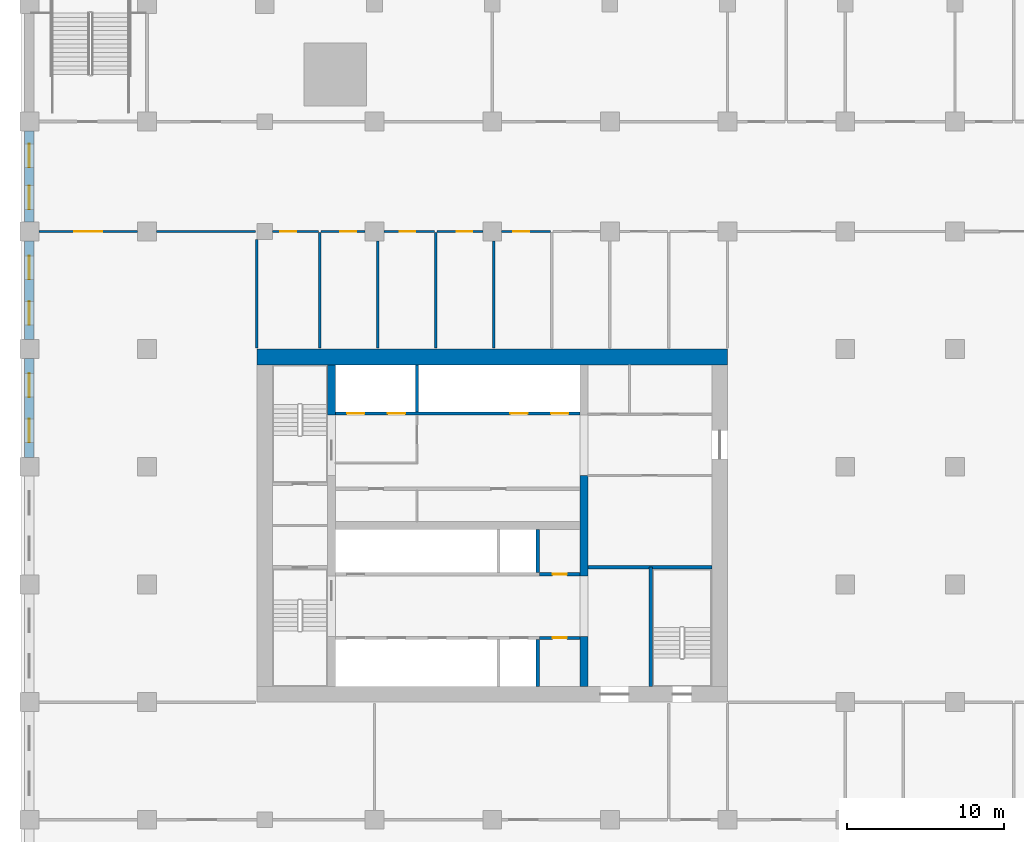
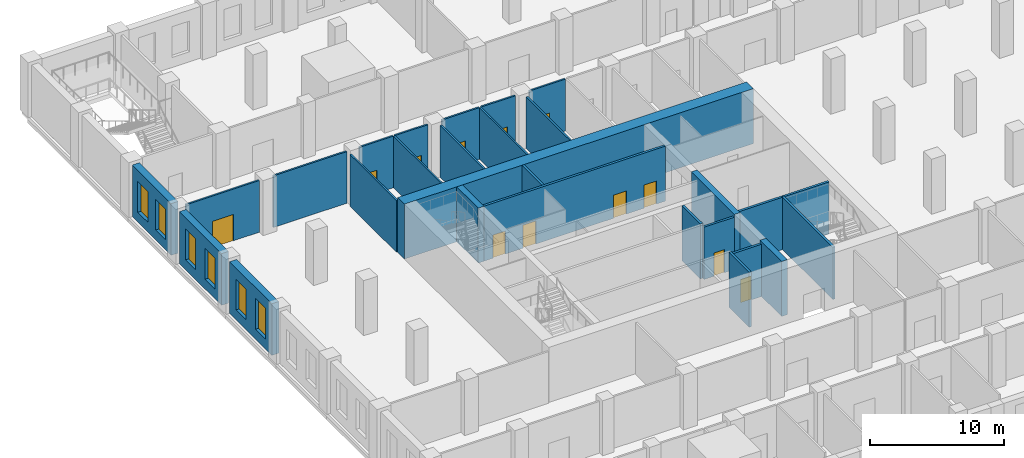
# One storey, part 6 of 22: 27 walls, 12 doors, 6 windows, 18 openings.
"""IFC4 building model written with IfcOpenShell, lengths in metres."""

from ifc_helpers import new_model, si_unit, direction, frame, frame_2d, origin, place, context, subcontext, project, spatial, rectangle, extrude, material, layer, layer_set, type_object, element, fill, save


model = new_model("IFC4")

# Units and contexts
model_context = context("Model", 3, precision=1e-05, world=origin(), true_north=direction((0.0, 1.0)))
body_context = subcontext(model_context, "Body", "Model", "MODEL_VIEW")
ifc_project = project(units=[si_unit("LENGTHUNIT", "METRE"), si_unit("AREAUNIT", "SQUARE_METRE"), si_unit("VOLUMEUNIT", "CUBIC_METRE"), si_unit("PLANEANGLEUNIT", "RADIAN"), si_unit("MASSUNIT", "GRAM", prefix="KILO")], contexts=[model_context])

# Site, building, storey
site_placement = place(None, origin())
site = spatial("IfcSite", under=ifc_project, at=site_placement, CompositionType="ELEMENT")
building_placement = place(site_placement, origin())
building = spatial("IfcBuilding", under=site, at=building_placement, Name="Tamorin Gate", CompositionType="ELEMENT")
storey_placement = place(building_placement, frame((0.0, 0.0, 29.0)))
storey = spatial("IfcBuildingStorey", under=building, at=storey_placement, Name="L05", CompositionType="ELEMENT", Elevation=29.0)

# Wall, openings, doors
ifc_material_1 = material(Name="Concrete C32/40", Category="concrete")
ifc_layer_1 = layer(ifc_material_1, 0.199951171875)
ifc_layer_set_1 = layer_set([ifc_layer_1], Name="Lift lobby face wall 200 EI 120")
wall_type_1 = type_object("IfcWallType", Name="Lift lobby face wall 200 EI 120", PredefinedType="SOLIDWALL", material=ifc_layer_set_1)
wall_1_placement = place(storey_placement, frame((35.0, 78.39990234375, 0.0), z_axis=(0.0, 0.0, 1.0), x_axis=(1.0, 0.0, 0.0)))
wall_1 = element("IfcWall", 1, at=wall_1_placement, inside=storey, type_object=wall_type_1, Name="Lift lobby face wall", PredefinedType="SOLIDWALL", context=body_context, shape_type="SweptSolid", body=[
    extrude(rectangle(XDim=15.60009765625, YDim=0.199951171875, at=frame_2d((7.800048828125, 0.0))), origin(), (0.0, 0.0, 1.0), 5.0),
])
opening_1_placement = place(wall_1_placement, frame((0.75, 0.0, 0.0)))
opening_1 = element("IfcOpeningElement", 2, at=opening_1_placement, cuts=wall_1, Name="Opening LD17", PredefinedType="OPENING", context=body_context, shape_type="SweptSolid", body=[
    extrude(rectangle(XDim=1.10009765625, YDim=2.10009765625, at=frame_2d((0.550048828125, 1.050048828125))), frame((0.0, 0.10986328125, 0.0), z_axis=(0.0, -1.0, 0.0), x_axis=(1.0, 0.0, 0.0)), (0.0, 0.0, 1.0), 0.219970703125),
])
opening_2_placement = place(wall_1_placement, frame((3.35009765625, 0.0, 0.0)))
opening_2 = element("IfcOpeningElement", 3, at=opening_2_placement, cuts=wall_1, Name="Opening LD18", PredefinedType="OPENING", context=body_context, shape_type="SweptSolid", body=[
    extrude(rectangle(XDim=1.10009765625, YDim=2.10009765625, at=frame_2d((0.550048828125, 1.050048828125))), frame((0.0, 0.10986328125, 0.0), z_axis=(0.0, -1.0, 0.0), x_axis=(1.0, 0.0, 0.0)), (0.0, 0.0, 1.0), 0.219970703125),
])
opening_3_placement = place(wall_1_placement, frame((11.14990234375, 0.0, 0.0)))
opening_3 = element("IfcOpeningElement", 4, at=opening_3_placement, cuts=wall_1, Name="Opening LD21", PredefinedType="OPENING", context=body_context, shape_type="SweptSolid", body=[
    extrude(rectangle(XDim=1.10009765625, YDim=2.10009765625, at=frame_2d((0.550048828125, 1.050048828125))), frame((0.0, 0.10986328125, 0.0), z_axis=(0.0, -1.0, 0.0), x_axis=(1.0, 0.0, 0.0)), (0.0, 0.0, 1.0), 0.219970703125),
])
opening_4_placement = place(wall_1_placement, frame((13.75, 0.0, 0.0)))
opening_4 = element("IfcOpeningElement", 5, at=opening_4_placement, cuts=wall_1, Name="Opening LD22", PredefinedType="OPENING", context=body_context, shape_type="SweptSolid", body=[
    extrude(rectangle(XDim=1.10009765625, YDim=2.10009765625, at=frame_2d((0.550048828125, 1.050048828125))), frame((0.0, 0.10986328125, 0.0), z_axis=(0.0, -1.0, 0.0), x_axis=(1.0, 0.0, 0.0)), (0.0, 0.0, 1.0), 0.219970703125),
])
ifc_material_2 = material(Name="Stainless steel sliding door", Category="steel")
door_type_1 = type_object("IfcDoorType", Name="Lift landing door 1100 x 2100 E 90", OperationType="DOUBLE_DOOR_SLIDING", PredefinedType="DOOR", material=ifc_material_2)
door_1_placement = place(opening_1_placement, origin())
door_1 = element("IfcDoor", 6, at=door_1_placement, inside=storey, type_object=door_type_1, Name="FF1 landing door", OperationType="DOUBLE_DOOR_SLIDING", OverallHeight=2.10009765625, OverallWidth=1.10009765625, PredefinedType="DOOR", context=body_context, shape_type="SweptSolid", body=[
    extrude(rectangle(XDim=1.10009765625, YDim=2.10009765625, at=frame_2d((0.550048828125, 1.050048828125))), frame((0.0, 0.02490234375, 0.0), z_axis=(0.0, -1.0, 0.0), x_axis=(1.0, 0.0, 0.0)), (0.0, 0.0, 1.0), 0.050048828125),
])
fill(opening_1, door_1)
door_2_placement = place(opening_2_placement, origin())
door_2 = element("IfcDoor", 7, at=door_2_placement, inside=storey, type_object=door_type_1, Name="FF2 landing door", OperationType="DOUBLE_DOOR_SLIDING", OverallHeight=2.10009765625, OverallWidth=1.10009765625, PredefinedType="DOOR", context=body_context, shape_type="SweptSolid", body=[
    extrude(rectangle(XDim=1.10009765625, YDim=2.10009765625, at=frame_2d((0.550048828125, 1.050048828125))), frame((0.0, 0.02490234375, 0.0), z_axis=(0.0, -1.0, 0.0), x_axis=(1.0, 0.0, 0.0)), (0.0, 0.0, 1.0), 0.050048828125),
])
fill(opening_2, door_2)
door_3_placement = place(opening_3_placement, origin())
door_3 = element("IfcDoor", 8, at=door_3_placement, inside=storey, type_object=door_type_1, Name="SV1 landing door", OperationType="DOUBLE_DOOR_SLIDING", OverallHeight=2.10009765625, OverallWidth=1.10009765625, PredefinedType="DOOR", context=body_context, shape_type="SweptSolid", body=[
    extrude(rectangle(XDim=1.10009765625, YDim=2.10009765625, at=frame_2d((0.550048828125, 1.050048828125))), frame((0.0, 0.02490234375, 0.0), z_axis=(0.0, -1.0, 0.0), x_axis=(1.0, 0.0, 0.0)), (0.0, 0.0, 1.0), 0.050048828125),
])
fill(opening_3, door_3)
door_4_placement = place(opening_4_placement, origin())
door_4 = element("IfcDoor", 9, at=door_4_placement, inside=storey, type_object=door_type_1, Name="SV2 landing door", OperationType="DOUBLE_DOOR_SLIDING", OverallHeight=2.10009765625, OverallWidth=1.10009765625, PredefinedType="DOOR", context=body_context, shape_type="SweptSolid", body=[
    extrude(rectangle(XDim=1.10009765625, YDim=2.10009765625, at=frame_2d((0.550048828125, 1.050048828125))), frame((0.0, 0.02490234375, 0.0), z_axis=(0.0, -1.0, 0.0), x_axis=(1.0, 0.0, 0.0)), (0.0, 0.0, 1.0), 0.050048828125),
])
fill(opening_4, door_4)

# Walls
ifc_layer_2 = layer(ifc_material_1, 0.199951171875)
ifc_layer_set_2 = layer_set([ifc_layer_2], Name="Lift shaft wall 200 EI 120")
wall_type_2 = type_object("IfcWallType", Name="Lift shaft wall 200 EI 120", PredefinedType="SOLIDWALL", material=ifc_layer_set_2)
wall_2_placement = place(storey_placement, frame((47.89990234375, 61.0, 0.0), z_axis=(0.0, 0.0, 1.0), x_axis=(0.0, 1.0, 0.0)))
element("IfcWall", 10, at=wall_2_placement, inside=storey, type_object=wall_type_2, Name="Lift shaft wall", PredefinedType="SOLIDWALL", context=body_context, shape_type="SweptSolid", body=[
    extrude(rectangle(XDim=3.0, YDim=0.199951171875, at=frame_2d((1.5, 0.0))), origin(), (0.0, 0.0, 1.0), 5.0),
])
wall_3_placement = place(storey_placement, frame((47.89990234375, 68.25, 0.0), z_axis=(0.0, 0.0, 1.0), x_axis=(0.0, 1.0, 0.0)))
element("IfcWall", 11, at=wall_3_placement, inside=storey, type_object=wall_type_2, Name="Lift shaft wall", PredefinedType="SOLIDWALL", context=body_context, shape_type="SweptSolid", body=[
    extrude(rectangle(XDim=2.75, YDim=0.199951171875, at=frame_2d((1.375, 0.0))), origin(), (0.0, 0.0, 1.0), 5.0),
])
wall_4_placement = place(storey_placement, frame((40.199951171875, 78.5, 0.0), z_axis=(0.0, 0.0, 1.0), x_axis=(0.0, 1.0, 0.0)))
element("IfcWall", 12, at=wall_4_placement, inside=storey, type_object=wall_type_2, Name="Lift shaft wall", PredefinedType="SOLIDWALL", context=body_context, shape_type="SweptSolid", body=[
    extrude(rectangle(XDim=3.0, YDim=0.199951171875, at=frame_2d((1.5, 0.0))), origin(), (0.0, 0.0, 1.0), 5.0),
])

# Wall, opening, door
ifc_material_3 = material(Name="Concrete masonry C20/25", Category="masonry")
ifc_layer_3 = layer(ifc_material_3, 0.14990234375)
ifc_layer_set_3 = layer_set([ifc_layer_3], Name="Partition 150")
wall_type_3 = type_object("IfcWallType", Name="Partition 150", PredefinedType="PARTITIONING", material=ifc_layer_set_3)
wall_5_placement = place(storey_placement, frame((16.10009765625, 90.0, 0.0), z_axis=(0.0, 0.0, 1.0), x_axis=(1.0, 0.0, 0.0)))
wall_5 = element("IfcWall", 13, at=wall_5_placement, inside=storey, type_object=wall_type_3, Name="Partition 150 L05", PredefinedType="PARTITIONING", context=body_context, shape_type="SweptSolid", body=[
    extrude(rectangle(XDim=6.2998046875, YDim=0.14990234375, at=frame_2d((3.14990234375, 0.0))), origin(), (0.0, 0.0, 1.0), 4.699951171875),
])
opening_5_placement = place(wall_5_placement, frame((2.25, 0.0, 0.0)))
opening_5 = element("IfcOpeningElement", 14, at=opening_5_placement, cuts=wall_5, Name="Opening DP3", PredefinedType="OPENING", context=body_context, shape_type="SweptSolid", body=[
    extrude(rectangle(XDim=1.800048828125, YDim=2.39990234375, at=frame_2d((0.89990234375, 1.199951171875))), frame((0.0, 0.0849609375, 0.0), z_axis=(0.0, -1.0, 0.0), x_axis=(1.0, 0.0, 0.0)), (0.0, 0.0, 1.0), 0.169921875),
])
ifc_material_4 = material(Name="Steel and glass", Category="steel")
door_type_2 = type_object("IfcDoorType", Name="Door pair 1800", OperationType="DOUBLE_DOOR_SINGLE_SWING", PredefinedType="DOOR", material=ifc_material_4)
door_5_placement = place(opening_5_placement, origin())
door_5 = element("IfcDoor", 15, at=door_5_placement, inside=storey, type_object=door_type_2, Name="Door pair 1800 L05", OperationType="SINGLE_SWING_LEFT", OverallHeight=2.39990234375, OverallWidth=1.800048828125, PredefinedType="DOOR", context=body_context, shape_type="SweptSolid", body=[
    extrude(rectangle(XDim=1.800048828125, YDim=2.39990234375, at=frame_2d((0.89990234375, 1.199951171875))), frame((0.0, 0.02490234375, 0.0), z_axis=(0.0, -1.0, 0.0), x_axis=(1.0, 0.0, 0.0)), (0.0, 0.0, 1.0), 0.050048828125),
])
fill(opening_5, door_5)

# Wall
wall_6_placement = place(storey_placement, frame((23.60009765625, 90.0, 0.0), z_axis=(0.0, 0.0, 1.0), x_axis=(1.0, 0.0, 0.0)))
element("IfcWall", 16, at=wall_6_placement, inside=storey, type_object=wall_type_3, Name="Partition 150 L05", PredefinedType="PARTITIONING", context=body_context, shape_type="SweptSolid", body=[
    extrude(rectangle(XDim=6.324951171875, YDim=0.14990234375, at=frame_2d((3.16259765625, 0.0))), origin(), (0.0, 0.0, 1.0), 4.699951171875),
])

# Wall, opening, door
wall_7_placement = place(storey_placement, frame((31.0, 90.0, 0.0), z_axis=(0.0, 0.0, 1.0), x_axis=(1.0, 0.0, 0.0)))
wall_7 = element("IfcWall", 17, at=wall_7_placement, inside=storey, type_object=wall_type_3, Name="Partition 150 L05", PredefinedType="PARTITIONING", context=body_context, shape_type="SweptSolid", body=[
    extrude(rectangle(XDim=2.925048828125, YDim=0.14990234375, at=frame_2d((1.46240234375, 0.0))), origin(), (0.0, 0.0, 1.0), 4.699951171875),
])
opening_6_placement = place(wall_7_placement, frame((0.5, 0.0, 0.0)))
opening_6 = element("IfcOpeningElement", 18, at=opening_6_placement, cuts=wall_7, Name="Opening DP2", PredefinedType="OPENING", context=body_context, shape_type="SweptSolid", body=[
    extrude(rectangle(XDim=1.0, YDim=2.10009765625, at=frame_2d((0.5, 1.050048828125))), frame((0.0, 0.0849609375, 0.0), z_axis=(0.0, -1.0, 0.0), x_axis=(1.0, 0.0, 0.0)), (0.0, 0.0, 1.0), 0.169921875),
])
ifc_material_5 = material(Name="Painted steel", Category="steel")
door_type_3 = type_object("IfcDoorType", Name="Door single 1000", OperationType="SINGLE_SWING_LEFT", PredefinedType="DOOR", material=ifc_material_5)
door_6_placement = place(opening_6_placement, origin())
door_6 = element("IfcDoor", 19, at=door_6_placement, inside=storey, type_object=door_type_3, Name="Door single 1000 L05", OperationType="SINGLE_SWING_LEFT", OverallHeight=2.10009765625, OverallWidth=1.0, PredefinedType="DOOR", context=body_context, shape_type="SweptSolid", body=[
    extrude(rectangle(XDim=1.0, YDim=2.10009765625, at=frame_2d((0.5, 1.050048828125))), frame((0.0, 0.02490234375, 0.0), z_axis=(0.0, -1.0, 0.0), x_axis=(1.0, 0.0, 0.0)), (0.0, 0.0, 1.0), 0.050048828125),
])
fill(opening_6, door_6)

wall_8_placement = place(storey_placement, frame((34.074951171875, 90.0, 0.0), z_axis=(0.0, 0.0, 1.0), x_axis=(1.0, 0.0, 0.0)))
wall_8 = element("IfcWall", 20, at=wall_8_placement, inside=storey, type_object=wall_type_3, Name="Partition 150 L05", PredefinedType="PARTITIONING", context=body_context, shape_type="SweptSolid", body=[
    extrude(rectangle(XDim=2.824951171875, YDim=0.14990234375, at=frame_2d((1.41259765625, 0.0))), origin(), (0.0, 0.0, 1.0), 4.699951171875),
])
opening_7_placement = place(wall_8_placement, frame((1.25, 0.0, 0.0)))
opening_7 = element("IfcOpeningElement", 21, at=opening_7_placement, cuts=wall_8, Name="Opening DP2", PredefinedType="OPENING", context=body_context, shape_type="SweptSolid", body=[
    extrude(rectangle(XDim=1.0, YDim=2.10009765625, at=frame_2d((0.5, 1.050048828125))), frame((0.0, 0.0849609375, 0.0), z_axis=(0.0, -1.0, 0.0), x_axis=(1.0, 0.0, 0.0)), (0.0, 0.0, 1.0), 0.169921875),
])
door_7_placement = place(opening_7_placement, origin())
door_7 = element("IfcDoor", 22, at=door_7_placement, inside=storey, type_object=door_type_3, Name="Door single 1000 L05", OperationType="SINGLE_SWING_LEFT", OverallHeight=2.10009765625, OverallWidth=1.0, PredefinedType="DOOR", context=body_context, shape_type="SweptSolid", body=[
    extrude(rectangle(XDim=1.0, YDim=2.10009765625, at=frame_2d((0.5, 1.050048828125))), frame((0.0, 0.02490234375, 0.0), z_axis=(0.0, -1.0, 0.0), x_axis=(1.0, 0.0, 0.0)), (0.0, 0.0, 1.0), 0.050048828125),
])
fill(opening_7, door_7)

wall_9_placement = place(storey_placement, frame((38.10009765625, 90.0, 0.0), z_axis=(0.0, 0.0, 1.0), x_axis=(1.0, 0.0, 0.0)))
wall_9 = element("IfcWall", 23, at=wall_9_placement, inside=storey, type_object=wall_type_3, Name="Partition 150 L05", PredefinedType="PARTITIONING", context=body_context, shape_type="SweptSolid", body=[
    extrude(rectangle(XDim=3.224853515625, YDim=0.14990234375, at=frame_2d((1.6123046875, 0.0))), origin(), (0.0, 0.0, 1.0), 4.699951171875),
])
opening_8_placement = place(wall_9_placement, frame((1.0, 0.0, 0.0)))
opening_8 = element("IfcOpeningElement", 24, at=opening_8_placement, cuts=wall_9, Name="Opening DP2", PredefinedType="OPENING", context=body_context, shape_type="SweptSolid", body=[
    extrude(rectangle(XDim=1.0, YDim=2.10009765625, at=frame_2d((0.5, 1.050048828125))), frame((0.0, 0.0849609375, 0.0), z_axis=(0.0, -1.0, 0.0), x_axis=(1.0, 0.0, 0.0)), (0.0, 0.0, 1.0), 0.169921875),
])
door_8_placement = place(opening_8_placement, origin())
door_8 = element("IfcDoor", 25, at=door_8_placement, inside=storey, type_object=door_type_3, Name="Door single 1000 L05", OperationType="SINGLE_SWING_LEFT", OverallHeight=2.10009765625, OverallWidth=1.0, PredefinedType="DOOR", context=body_context, shape_type="SweptSolid", body=[
    extrude(rectangle(XDim=1.0, YDim=2.10009765625, at=frame_2d((0.5, 1.050048828125))), frame((0.0, 0.02490234375, 0.0), z_axis=(0.0, -1.0, 0.0), x_axis=(1.0, 0.0, 0.0)), (0.0, 0.0, 1.0), 0.050048828125),
])
fill(opening_8, door_8)

wall_10_placement = place(storey_placement, frame((41.47509765625, 90.0, 0.0), z_axis=(0.0, 0.0, 1.0), x_axis=(1.0, 0.0, 0.0)))
wall_10 = element("IfcWall", 26, at=wall_10_placement, inside=storey, type_object=wall_type_3, Name="Partition 150 L05", PredefinedType="PARTITIONING", context=body_context, shape_type="SweptSolid", body=[
    extrude(rectangle(XDim=2.9248046875, YDim=0.14990234375, at=frame_2d((1.46240234375, 0.0))), origin(), (0.0, 0.0, 1.0), 4.699951171875),
])
opening_9_placement = place(wall_10_placement, frame((1.25, 0.0, 0.0)))
opening_9 = element("IfcOpeningElement", 27, at=opening_9_placement, cuts=wall_10, Name="Opening DP2", PredefinedType="OPENING", context=body_context, shape_type="SweptSolid", body=[
    extrude(rectangle(XDim=1.0, YDim=2.10009765625, at=frame_2d((0.5, 1.050048828125))), frame((0.0, 0.0849609375, 0.0), z_axis=(0.0, -1.0, 0.0), x_axis=(1.0, 0.0, 0.0)), (0.0, 0.0, 1.0), 0.169921875),
])
door_9_placement = place(opening_9_placement, origin())
door_9 = element("IfcDoor", 28, at=door_9_placement, inside=storey, type_object=door_type_3, Name="Door single 1000 L05", OperationType="SINGLE_SWING_LEFT", OverallHeight=2.10009765625, OverallWidth=1.0, PredefinedType="DOOR", context=body_context, shape_type="SweptSolid", body=[
    extrude(rectangle(XDim=1.0, YDim=2.10009765625, at=frame_2d((0.5, 1.050048828125))), frame((0.0, 0.02490234375, 0.0), z_axis=(0.0, -1.0, 0.0), x_axis=(1.0, 0.0, 0.0)), (0.0, 0.0, 1.0), 0.050048828125),
])
fill(opening_9, door_9)

wall_11_placement = place(storey_placement, frame((45.60009765625, 90.0, 0.0), z_axis=(0.0, 0.0, 1.0), x_axis=(1.0, 0.0, 0.0)))
wall_11 = element("IfcWall", 29, at=wall_11_placement, inside=storey, type_object=wall_type_3, Name="Partition 150 L05", PredefinedType="PARTITIONING", context=body_context, shape_type="SweptSolid", body=[
    extrude(rectangle(XDim=3.125, YDim=0.14990234375, at=frame_2d((1.5625, 0.0))), origin(), (0.0, 0.0, 1.0), 4.699951171875),
])
opening_10_placement = place(wall_11_placement, frame((0.75, 0.0, 0.0)))
opening_10 = element("IfcOpeningElement", 30, at=opening_10_placement, cuts=wall_11, Name="Opening DP2", PredefinedType="OPENING", context=body_context, shape_type="SweptSolid", body=[
    extrude(rectangle(XDim=1.0, YDim=2.10009765625, at=frame_2d((0.5, 1.050048828125))), frame((0.0, 0.0849609375, 0.0), z_axis=(0.0, -1.0, 0.0), x_axis=(1.0, 0.0, 0.0)), (0.0, 0.0, 1.0), 0.169921875),
])
door_10_placement = place(opening_10_placement, origin())
door_10 = element("IfcDoor", 31, at=door_10_placement, inside=storey, type_object=door_type_3, Name="Door single 1000 L05", OperationType="SINGLE_SWING_LEFT", OverallHeight=2.10009765625, OverallWidth=1.0, PredefinedType="DOOR", context=body_context, shape_type="SweptSolid", body=[
    extrude(rectangle(XDim=1.0, YDim=2.10009765625, at=frame_2d((0.5, 1.050048828125))), frame((0.0, 0.02490234375, 0.0), z_axis=(0.0, -1.0, 0.0), x_axis=(1.0, 0.0, 0.0)), (0.0, 0.0, 1.0), 0.050048828125),
])
fill(opening_10, door_10)

# Walls
wall_12_placement = place(storey_placement, frame((30.0, 82.574951171875, 0.0), z_axis=(0.0, 0.0, 1.0), x_axis=(0.0, 1.0, 0.0)))
element("IfcWall", 32, at=wall_12_placement, inside=storey, type_object=wall_type_3, Name="Partition 150 L05", PredefinedType="PARTITIONING", context=body_context, shape_type="SweptSolid", body=[
    extrude(rectangle(XDim=6.925048828125, YDim=0.14990234375, at=frame_2d((3.46240234375, 0.0))), origin(), (0.0, 0.0, 1.0), 4.699951171875),
])
wall_13_placement = place(storey_placement, frame((34.0, 82.574951171875, 0.0), z_axis=(0.0, 0.0, 1.0), x_axis=(0.0, 1.0, 0.0)))
element("IfcWall", 33, at=wall_13_placement, inside=storey, type_object=wall_type_3, Name="Partition 150 L05", PredefinedType="PARTITIONING", context=body_context, shape_type="SweptSolid", body=[
    extrude(rectangle(XDim=7.35009765625, YDim=0.14990234375, at=frame_2d((3.675048828125, 0.0))), origin(), (0.0, 0.0, 1.0), 4.699951171875),
])
wall_14_placement = place(storey_placement, frame((37.699951171875, 82.574951171875, 0.0), z_axis=(0.0, 0.0, 1.0), x_axis=(0.0, 1.0, 0.0)))
element("IfcWall", 34, at=wall_14_placement, inside=storey, type_object=wall_type_3, Name="Partition 150 L05", PredefinedType="PARTITIONING", context=body_context, shape_type="SweptSolid", body=[
    extrude(rectangle(XDim=6.824951171875, YDim=0.14990234375, at=frame_2d((3.41259765625, 0.0))), origin(), (0.0, 0.0, 1.0), 4.699951171875),
])
wall_15_placement = place(storey_placement, frame((41.39990234375, 82.574951171875, 0.0), z_axis=(0.0, 0.0, 1.0), x_axis=(0.0, 1.0, 0.0)))
element("IfcWall", 35, at=wall_15_placement, inside=storey, type_object=wall_type_3, Name="Partition 150 L05", PredefinedType="PARTITIONING", context=body_context, shape_type="SweptSolid", body=[
    extrude(rectangle(XDim=7.35009765625, YDim=0.14990234375, at=frame_2d((3.675048828125, 0.0))), origin(), (0.0, 0.0, 1.0), 4.699951171875),
])
wall_16_placement = place(storey_placement, frame((45.10009765625, 82.574951171875, 0.0), z_axis=(0.0, 0.0, 1.0), x_axis=(0.0, 1.0, 0.0)))
element("IfcWall", 36, at=wall_16_placement, inside=storey, type_object=wall_type_3, Name="Partition 150 L05", PredefinedType="PARTITIONING", context=body_context, shape_type="SweptSolid", body=[
    extrude(rectangle(XDim=6.824951171875, YDim=0.14990234375, at=frame_2d((3.41259765625, 0.0))), origin(), (0.0, 0.0, 1.0), 4.699951171875),
])

# Wall, openings, windows
ifc_material_6 = material(Name="Precast concrete C40/50", Category="concrete")
ifc_layer_4 = layer(ifc_material_6, 0.60009765625)
ifc_layer_set_4 = layer_set([ifc_layer_4], Name="Precast concrete C40/50")
wall_type_4 = type_object("IfcWallType", Name="Precast plinth wall 600", PredefinedType="PARTITIONING", material=ifc_layer_set_4)
wall_17_placement = place(storey_placement, frame((15.5, 75.60009765625, 0.0), z_axis=(0.0, 0.0, 1.0), x_axis=(0.0, 1.0, 0.0)))
wall_17 = element("IfcWall", 37, at=wall_17_placement, inside=storey, type_object=wall_type_4, Name="Precast plinth wall 600 L05", PredefinedType="PARTITIONING", context=body_context, shape_type="SweptSolid", body=[
    extrude(rectangle(XDim=6.2998046875, YDim=0.60009765625, at=frame_2d((3.14990234375, 0.0))), origin(), (0.0, 0.0, 1.0), 4.699951171875),
])
opening_11_placement = place(wall_17_placement, frame((0.950927734375, 0.0, 0.89990234375)))
opening_11 = element("IfcOpeningElement", 38, at=opening_11_placement, cuts=wall_17, Name="Opening PWN5", PredefinedType="OPENING", context=body_context, shape_type="SweptSolid", body=[
    extrude(rectangle(XDim=1.5, YDim=2.800048828125, at=frame_2d((0.75, 1.39990234375))), frame((0.0, 0.31005859375, 0.0), z_axis=(0.0, -1.0, 0.0), x_axis=(1.0, 0.0, 0.0)), (0.0, 0.0, 1.0), 0.6201171875),
])
opening_12_placement = place(wall_17_placement, frame((3.84912109375, 0.0, 0.89990234375)))
opening_12 = element("IfcOpeningElement", 39, at=opening_12_placement, cuts=wall_17, Name="Opening PWN5", PredefinedType="OPENING", context=body_context, shape_type="SweptSolid", body=[
    extrude(rectangle(XDim=1.5, YDim=2.800048828125, at=frame_2d((0.75, 1.39990234375))), frame((0.0, 0.31005859375, 0.0), z_axis=(0.0, -1.0, 0.0), x_axis=(1.0, 0.0, 0.0)), (0.0, 0.0, 1.0), 0.6201171875),
])
ifc_material_7 = material(Name="Aluminium and glass", Category="aluminium")
window_type = type_object("IfcWindowType", Name="Plinth window 1500x2800", PartitioningType="DOUBLE_PANEL_VERTICAL", PredefinedType="WINDOW", material=ifc_material_7)
window_1_placement = place(opening_11_placement, origin())
window_1 = element("IfcWindow", 40, at=window_1_placement, inside=storey, type_object=window_type, Name="Plinth window 1500x2800", OverallHeight=2.800048828125, OverallWidth=1.5, PartitioningType="SINGLE_PANEL", PredefinedType="WINDOW", context=body_context, shape_type="SweptSolid", body=[
    extrude(rectangle(XDim=1.5, YDim=2.800048828125, at=frame_2d((0.75, 1.39990234375))), frame((0.0, 0.030029296875, 0.0), z_axis=(0.0, -1.0, 0.0), x_axis=(1.0, 0.0, 0.0)), (0.0, 0.0, 1.0), 0.06005859375),
])
fill(opening_11, window_1)
window_2_placement = place(opening_12_placement, origin())
window_2 = element("IfcWindow", 41, at=window_2_placement, inside=storey, type_object=window_type, Name="Plinth window 1500x2800", OverallHeight=2.800048828125, OverallWidth=1.5, PartitioningType="SINGLE_PANEL", PredefinedType="WINDOW", context=body_context, shape_type="SweptSolid", body=[
    extrude(rectangle(XDim=1.5, YDim=2.800048828125, at=frame_2d((0.75, 1.39990234375))), frame((0.0, 0.030029296875, 0.0), z_axis=(0.0, -1.0, 0.0), x_axis=(1.0, 0.0, 0.0)), (0.0, 0.0, 1.0), 0.06005859375),
])
fill(opening_12, window_2)

wall_18_placement = place(storey_placement, frame((15.5, 83.10009765625, 0.0), z_axis=(0.0, 0.0, 1.0), x_axis=(0.0, 1.0, 0.0)))
wall_18 = element("IfcWall", 42, at=wall_18_placement, inside=storey, type_object=wall_type_4, Name="Precast plinth wall 600 L05", PredefinedType="PARTITIONING", context=body_context, shape_type="SweptSolid", body=[
    extrude(rectangle(XDim=6.2998046875, YDim=0.60009765625, at=frame_2d((3.14990234375, 0.0))), origin(), (0.0, 0.0, 1.0), 4.699951171875),
])
opening_13_placement = place(wall_18_placement, frame((0.950927734375, 0.0, 0.89990234375)))
opening_13 = element("IfcOpeningElement", 43, at=opening_13_placement, cuts=wall_18, Name="Opening PWN5", PredefinedType="OPENING", context=body_context, shape_type="SweptSolid", body=[
    extrude(rectangle(XDim=1.5, YDim=2.800048828125, at=frame_2d((0.75, 1.39990234375))), frame((0.0, 0.31005859375, 0.0), z_axis=(0.0, -1.0, 0.0), x_axis=(1.0, 0.0, 0.0)), (0.0, 0.0, 1.0), 0.6201171875),
])
opening_14_placement = place(wall_18_placement, frame((3.84912109375, 0.0, 0.89990234375)))
opening_14 = element("IfcOpeningElement", 44, at=opening_14_placement, cuts=wall_18, Name="Opening PWN5", PredefinedType="OPENING", context=body_context, shape_type="SweptSolid", body=[
    extrude(rectangle(XDim=1.5, YDim=2.800048828125, at=frame_2d((0.75, 1.39990234375))), frame((0.0, 0.31005859375, 0.0), z_axis=(0.0, -1.0, 0.0), x_axis=(1.0, 0.0, 0.0)), (0.0, 0.0, 1.0), 0.6201171875),
])
window_3_placement = place(opening_13_placement, origin())
window_3 = element("IfcWindow", 45, at=window_3_placement, inside=storey, type_object=window_type, Name="Plinth window 1500x2800", OverallHeight=2.800048828125, OverallWidth=1.5, PartitioningType="SINGLE_PANEL", PredefinedType="WINDOW", context=body_context, shape_type="SweptSolid", body=[
    extrude(rectangle(XDim=1.5, YDim=2.800048828125, at=frame_2d((0.75, 1.39990234375))), frame((0.0, 0.030029296875, 0.0), z_axis=(0.0, -1.0, 0.0), x_axis=(1.0, 0.0, 0.0)), (0.0, 0.0, 1.0), 0.06005859375),
])
fill(opening_13, window_3)
window_4_placement = place(opening_14_placement, origin())
window_4 = element("IfcWindow", 46, at=window_4_placement, inside=storey, type_object=window_type, Name="Plinth window 1500x2800", OverallHeight=2.800048828125, OverallWidth=1.5, PartitioningType="SINGLE_PANEL", PredefinedType="WINDOW", context=body_context, shape_type="SweptSolid", body=[
    extrude(rectangle(XDim=1.5, YDim=2.800048828125, at=frame_2d((0.75, 1.39990234375))), frame((0.0, 0.030029296875, 0.0), z_axis=(0.0, -1.0, 0.0), x_axis=(1.0, 0.0, 0.0)), (0.0, 0.0, 1.0), 0.06005859375),
])
fill(opening_14, window_4)

wall_19_placement = place(storey_placement, frame((15.5, 90.60009765625, 0.0), z_axis=(0.0, 0.0, 1.0), x_axis=(0.0, 1.0, 0.0)))
wall_19 = element("IfcWall", 47, at=wall_19_placement, inside=storey, type_object=wall_type_4, Name="Precast plinth wall 600 L05", PredefinedType="PARTITIONING", context=body_context, shape_type="SweptSolid", body=[
    extrude(rectangle(XDim=5.7998046875, YDim=0.60009765625, at=frame_2d((2.89990234375, 0.0))), origin(), (0.0, 0.0, 1.0), 4.699951171875),
])
opening_15_placement = place(wall_19_placement, frame((0.81591796875, 0.0, 0.89990234375)))
opening_15 = element("IfcOpeningElement", 48, at=opening_15_placement, cuts=wall_19, Name="Opening PWN5", PredefinedType="OPENING", context=body_context, shape_type="SweptSolid", body=[
    extrude(rectangle(XDim=1.5, YDim=2.800048828125, at=frame_2d((0.75, 1.39990234375))), frame((0.0, 0.31005859375, 0.0), z_axis=(0.0, -1.0, 0.0), x_axis=(1.0, 0.0, 0.0)), (0.0, 0.0, 1.0), 0.6201171875),
])
opening_16_placement = place(wall_19_placement, frame((3.48388671875, 0.0, 0.89990234375)))
opening_16 = element("IfcOpeningElement", 49, at=opening_16_placement, cuts=wall_19, Name="Opening PWN5", PredefinedType="OPENING", context=body_context, shape_type="SweptSolid", body=[
    extrude(rectangle(XDim=1.5, YDim=2.800048828125, at=frame_2d((0.75, 1.39990234375))), frame((0.0, 0.31005859375, 0.0), z_axis=(0.0, -1.0, 0.0), x_axis=(1.0, 0.0, 0.0)), (0.0, 0.0, 1.0), 0.6201171875),
])
window_5_placement = place(opening_15_placement, origin())
window_5 = element("IfcWindow", 50, at=window_5_placement, inside=storey, type_object=window_type, Name="Plinth window 1500x2800", OverallHeight=2.800048828125, OverallWidth=1.5, PartitioningType="SINGLE_PANEL", PredefinedType="WINDOW", context=body_context, shape_type="SweptSolid", body=[
    extrude(rectangle(XDim=1.5, YDim=2.800048828125, at=frame_2d((0.75, 1.39990234375))), frame((0.0, 0.030029296875, 0.0), z_axis=(0.0, -1.0, 0.0), x_axis=(1.0, 0.0, 0.0)), (0.0, 0.0, 1.0), 0.06005859375),
])
fill(opening_15, window_5)
window_6_placement = place(opening_16_placement, origin())
window_6 = element("IfcWindow", 51, at=window_6_placement, inside=storey, type_object=window_type, Name="Plinth window 1500x2800", OverallHeight=2.800048828125, OverallWidth=1.5, PartitioningType="SINGLE_PANEL", PredefinedType="WINDOW", context=body_context, shape_type="SweptSolid", body=[
    extrude(rectangle(XDim=1.5, YDim=2.800048828125, at=frame_2d((0.75, 1.39990234375))), frame((0.0, 0.030029296875, 0.0), z_axis=(0.0, -1.0, 0.0), x_axis=(1.0, 0.0, 0.0)), (0.0, 0.0, 1.0), 0.06005859375),
])
fill(opening_16, window_6)

# Walls
ifc_material_8 = material(Name="Concrete C80/95", Category="concrete")
ifc_layer_5 = layer(ifc_material_8, 0.5)
ifc_layer_set_5 = layer_set([ifc_layer_5], Name="RC core internal wall 500 C80/95")
wall_type_5 = type_object("IfcWallType", Name="RC core internal wall 500 C80/95", PredefinedType="SHEAR", material=ifc_layer_set_5)
for number, where, z_axis, x_axis, name in (
    (52, (34.75, 78.300048828125, 0.0), (0.0, 0.0, 1.0), (0.0, 1.0, 0.0), "Core cross wall L05"),
    (53, (50.85009765625, 61.0, 0.0), (0.0, 0.0, 1.0), (0.0, 1.0, 0.0), "Core cross wall L05"),
):
    element("IfcWall", number, at=place(storey_placement, frame(where, z_axis=z_axis, x_axis=x_axis)), inside=storey, type_object=wall_type_5, Name=name, PredefinedType="SHEAR", context=body_context, shape_type="SweptSolid", body=[
        extrude(rectangle(XDim=3.199951171875, YDim=0.5, at=frame_2d((1.60009765625, 0.0))), origin(), (0.0, 0.0, 1.0), 5.0),
    ])
wall_20_placement = place(storey_placement, frame((50.85009765625, 68.050048828125, 0.0), z_axis=(0.0, 0.0, 1.0), x_axis=(0.0, 1.0, 0.0)))
element("IfcWall", 54, at=wall_20_placement, inside=storey, type_object=wall_type_5, Name="Core cross wall L05", PredefinedType="SHEAR", context=body_context, shape_type="SweptSolid", body=[
    extrude(rectangle(XDim=6.39990234375, YDim=0.5, at=frame_2d((3.199951171875, 0.0))), origin(), (0.0, 0.0, 1.0), 5.0),
])
ifc_layer_6 = layer(ifc_material_8, 1.0)
ifc_layer_set_6 = layer_set([ifc_layer_6], Name="RC core wall 1000 C80/95")
wall_type_6 = type_object("IfcWallType", Name="RC core wall 1000 C80/95", PredefinedType="SHEAR", material=ifc_layer_set_6)
wall_21_placement = place(storey_placement, frame((30.0, 82.0, 0.0), z_axis=(0.0, 0.0, 1.0), x_axis=(1.0, 0.0, 0.0)))
element("IfcWall", 55, at=wall_21_placement, inside=storey, type_object=wall_type_6, Name="Core wall L05", PredefinedType="SHEAR", context=body_context, shape_type="SweptSolid", body=[
    extrude(rectangle(XDim=30.0, YDim=1.0, at=frame_2d((15.0, 0.0))), origin(), (0.0, 0.0, 1.0), 5.0),
])

# Wall, opening, door
ifc_material_9 = material(Name="Gypsum board partition")
ifc_layer_7 = layer(ifc_material_9, 0.199951171875)
ifc_layer_set_7 = layer_set([ifc_layer_7], Name="Service room face wall 200 EI 60")
wall_type_7 = type_object("IfcWallType", Name="Service room face wall 200 EI 60", PredefinedType="PARTITIONING", material=ifc_layer_set_7)
wall_22_placement = place(storey_placement, frame((48.0, 64.10009765625, 0.0), z_axis=(0.0, 0.0, 1.0), x_axis=(1.0, 0.0, 0.0)))
wall_22 = element("IfcWall", 56, at=wall_22_placement, inside=storey, type_object=wall_type_7, Name="Service room face wall", PredefinedType="PARTITIONING", context=body_context, shape_type="SweptSolid", body=[
    extrude(rectangle(XDim=2.60009765625, YDim=0.199951171875, at=frame_2d((1.300048828125, 0.0))), origin(), (0.0, 0.0, 1.0), 4.75),
])
opening_17_placement = place(wall_22_placement, frame((0.85009765625, 0.0, 0.0)))
opening_17 = element("IfcOpeningElement", 57, at=opening_17_placement, cuts=wall_22, Name="Opening DK1", PredefinedType="OPENING", context=body_context, shape_type="SweptSolid", body=[
    extrude(rectangle(XDim=0.89990234375, YDim=2.10009765625, at=frame_2d((0.449951171875, 1.050048828125))), frame((0.0, 0.10986328125, 0.0), z_axis=(0.0, -1.0, 0.0), x_axis=(1.0, 0.0, 0.0)), (0.0, 0.0, 1.0), 0.219970703125),
])
ifc_material_10 = material(Name="Timber fire door", Category="wood")
door_type_4 = type_object("IfcDoorType", Name="Service room door 900 x 2100 EI 60", OperationType="SINGLE_SWING_LEFT", PredefinedType="DOOR", material=ifc_material_10)
door_11_placement = place(opening_17_placement, origin())
door_11 = element("IfcDoor", 58, at=door_11_placement, inside=storey, type_object=door_type_4, Name="Door Waste store", OperationType="SINGLE_SWING_LEFT", OverallHeight=2.10009765625, OverallWidth=0.89990234375, PredefinedType="DOOR", context=body_context, shape_type="SweptSolid", body=[
    extrude(rectangle(XDim=0.89990234375, YDim=2.10009765625, at=frame_2d((0.449951171875, 1.050048828125))), frame((0.0, 0.02490234375, 0.0), z_axis=(0.0, -1.0, 0.0), x_axis=(1.0, 0.0, 0.0)), (0.0, 0.0, 1.0), 0.050048828125),
])
fill(opening_17, door_11)

wall_23_placement = place(storey_placement, frame((48.0, 68.14990234375, 0.0), z_axis=(0.0, 0.0, 1.0), x_axis=(1.0, 0.0, 0.0)))
wall_23 = element("IfcWall", 59, at=wall_23_placement, inside=storey, type_object=wall_type_7, Name="Service room face wall", PredefinedType="PARTITIONING", context=body_context, shape_type="SweptSolid", body=[
    extrude(rectangle(XDim=2.60009765625, YDim=0.199951171875, at=frame_2d((1.300048828125, 0.0))), origin(), (0.0, 0.0, 1.0), 4.75),
])
opening_18_placement = place(wall_23_placement, frame((0.85009765625, 0.0, 0.0)))
opening_18 = element("IfcOpeningElement", 60, at=opening_18_placement, cuts=wall_23, Name="Opening DK1", PredefinedType="OPENING", context=body_context, shape_type="SweptSolid", body=[
    extrude(rectangle(XDim=0.89990234375, YDim=2.10009765625, at=frame_2d((0.449951171875, 1.050048828125))), frame((0.0, 0.10986328125, 0.0), z_axis=(0.0, -1.0, 0.0), x_axis=(1.0, 0.0, 0.0)), (0.0, 0.0, 1.0), 0.219970703125),
])
door_12_placement = place(opening_18_placement, origin())
door_12 = element("IfcDoor", 61, at=door_12_placement, inside=storey, type_object=door_type_4, Name="Door Maintenance store", OperationType="SINGLE_SWING_LEFT", OverallHeight=2.10009765625, OverallWidth=0.89990234375, PredefinedType="DOOR", context=body_context, shape_type="SweptSolid", body=[
    extrude(rectangle(XDim=0.89990234375, YDim=2.10009765625, at=frame_2d((0.449951171875, 1.050048828125))), frame((0.0, 0.02490234375, 0.0), z_axis=(0.0, -1.0, 0.0), x_axis=(1.0, 0.0, 0.0)), (0.0, 0.0, 1.0), 0.050048828125),
])
fill(opening_18, door_12)

# Walls
ifc_material_11 = material(Name="Concrete C40/50", Category="concrete")
ifc_layer_8 = layer(ifc_material_11, 0.199951171875)
ifc_layer_set_8 = layer_set([ifc_layer_8], Name="Stair enclosure wall 200 EI 120 C40/50")
wall_type_8 = type_object("IfcWallType", Name="Stair enclosure wall 200 EI 120 C40/50", PredefinedType="SOLIDWALL", material=ifc_layer_set_8)
wall_24_placement = place(storey_placement, frame((55.10009765625, 61.0, 0.0), z_axis=(0.0, 0.0, 1.0), x_axis=(0.0, 1.0, 0.0)))
element("IfcWall", 62, at=wall_24_placement, inside=storey, type_object=wall_type_8, Name="Stair enclosure wall", PredefinedType="SOLIDWALL", context=body_context, shape_type="SweptSolid", body=[
    extrude(rectangle(XDim=7.60009765625, YDim=0.199951171875, at=frame_2d((3.800048828125, 0.0))), origin(), (0.0, 0.0, 1.0), 4.75),
])
wall_25_placement = place(storey_placement, frame((51.10009765625, 68.60009765625, 0.0), z_axis=(0.0, 0.0, 1.0), x_axis=(1.0, 0.0, 0.0)))
element("IfcWall", 63, at=wall_25_placement, inside=storey, type_object=wall_type_8, Name="Stair enclosure wall", PredefinedType="SOLIDWALL", context=body_context, shape_type="SweptSolid", body=[
    extrude(rectangle(XDim=7.89990234375, YDim=0.199951171875, at=frame_2d((3.949951171875, 0.0))), origin(), (0.0, 0.0, 1.0), 4.75),
])

save(model, "model.ifc")
